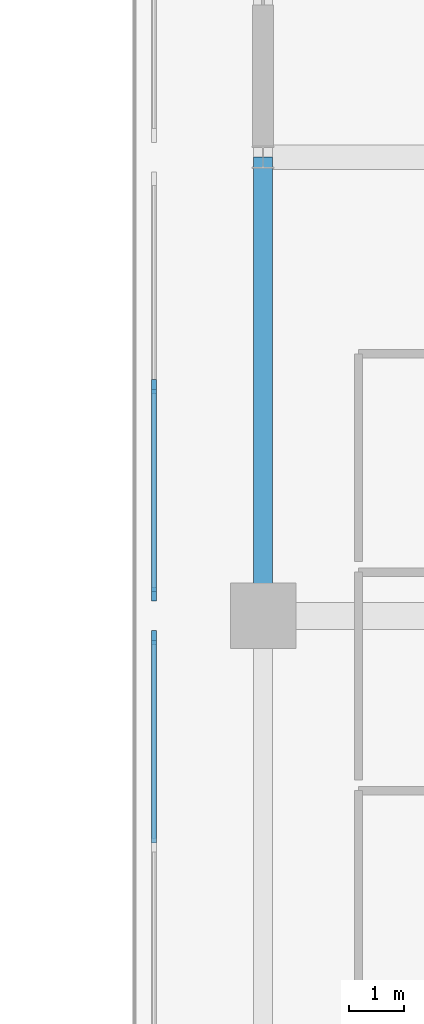
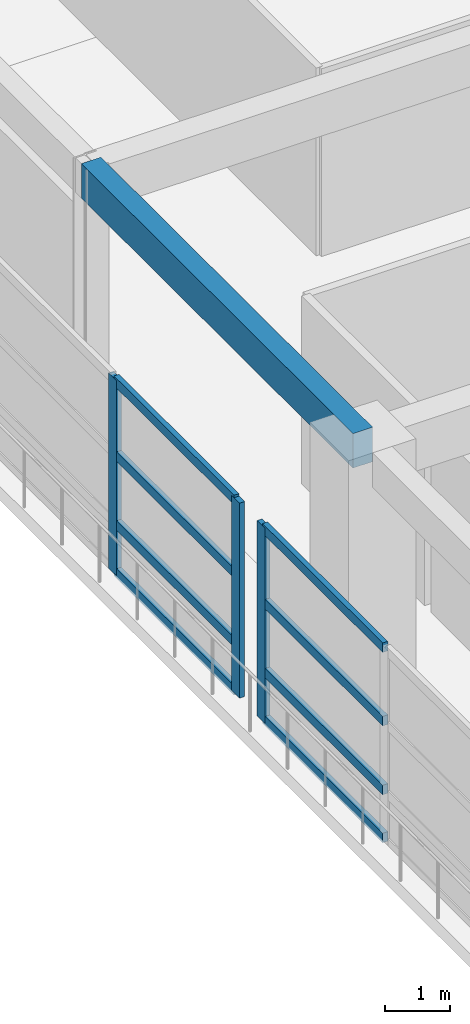
# One storey, part 18 of 60: 11 members, 1 beam, 2 elements without a shape of their own.
"""IFC4 building model written with IfcOpenShell, lengths in metres."""

from ifc_helpers import new_model, si_unit, direction, frame, origin, origin_2d, place, context, subcontext, project, spatial, rectangle, extrude, material, material_profile, profile_set, type_object, element, aggregate, save


model = new_model("IFC4")

# Units and contexts
model_context = context("Model", 3, precision=1e-05, world=origin(), true_north=direction((0.0, 1.0)))
body_context = subcontext(model_context, "Body", "Model", "MODEL_VIEW")
ifc_project = project(units=[si_unit("LENGTHUNIT", "METRE"), si_unit("AREAUNIT", "SQUARE_METRE"), si_unit("VOLUMEUNIT", "CUBIC_METRE"), si_unit("PLANEANGLEUNIT", "RADIAN"), si_unit("MASSUNIT", "GRAM", prefix="KILO")], contexts=[model_context])

# Site, building, storey
site_placement = place(None, origin())
site = spatial("IfcSite", under=ifc_project, at=site_placement, CompositionType="ELEMENT")
building_placement = place(site_placement, origin())
building = spatial("IfcBuilding", under=site, at=building_placement, Name="Xuanlan Plaza Opera House", CompositionType="ELEMENT")
storey_placement = place(building_placement, frame((0.0, 0.0, 9.89990234375)))
storey = spatial("IfcBuildingStorey", under=building, at=storey_placement, Name="L02", CompositionType="ELEMENT", Elevation=9.89990234375)

# Curtain wall, member
ifc_material_1 = material(Name="Anodised Aluminium 6063-T6 and Low-E Glass", Category="aluminium")
curtain_wall_type = type_object("IfcCurtainWallType", Name="ENV-CW-CW-06", PredefinedType="USERDEFINED", material=ifc_material_1)
curtain_wall_1_placement = place(storey_placement, origin())
curtain_wall_1 = element("IfcCurtainWall", 1, at=curtain_wall_1_placement, inside=storey, type_object=curtain_wall_type, Name="Acoustic Glazed Wall ATR-L02-22", ObjectType="ACOUSTIC GLAZED WALL", PredefinedType="USERDEFINED")
ifc_material_2 = material(Name="Anodised Aluminium 6063-T6", Category="aluminium")
ifc_material_profile_1 = material_profile(ifc_material_2, rectangle(XDim=0.090087890625, YDim=0.25, at=origin_2d()), Name="ALU-M 90x250")
ifc_profile_set_1 = profile_set([ifc_material_profile_1], Name="Anodised Aluminium 6063-T6")
member_type_1 = type_object("IfcMemberType", Name="ENV-CWM-05", PredefinedType="MULLION", material=ifc_profile_set_1)
member_1_placement = place(storey_placement, frame((124.0, 58.405029296875, 0.0), z_axis=(0.0, 0.0, 1.0), x_axis=(-1.0, 0.0, 0.0)))
member_1 = element("IfcMember", 2, at=member_1_placement, type_object=member_type_1, Name="CW-06 mullion 3", PredefinedType="MULLION", context=body_context, shape_type="SweptSolid", body=[
    extrude(rectangle(XDim=0.090087890625, YDim=0.25, at=origin_2d()), origin(), (0.0, 0.0, 1.0), 3.68017578125),
])

# Curtain wall, members
curtain_wall_2_placement = place(storey_placement, origin())
curtain_wall_2 = element("IfcCurtainWall", 3, at=curtain_wall_2_placement, inside=storey, type_object=curtain_wall_type, Name="Acoustic Glazed Wall ATR-L02-23", ObjectType="ACOUSTIC GLAZED WALL", PredefinedType="USERDEFINED")
member_2_placement = place(storey_placement, frame((124.0, 59.195068359375, 0.0), z_axis=(0.0, 0.0, 1.0), x_axis=(-1.0, 0.0, 0.0)))
member_2 = element("IfcMember", 4, at=member_2_placement, type_object=member_type_1, Name="CW-06 mullion 1", PredefinedType="MULLION", context=body_context, shape_type="SweptSolid", body=[
    extrude(rectangle(XDim=0.090087890625, YDim=0.25, at=origin_2d()), origin(), (0.0, 0.0, 1.0), 3.68017578125),
])
member_3_placement = place(storey_placement, frame((124.0, 63.0, 0.0), z_axis=(0.0, 0.0, 1.0), x_axis=(-1.0, 0.0, 0.0)))
member_3 = element("IfcMember", 5, at=member_3_placement, type_object=member_type_1, Name="CW-06 mullion 2", PredefinedType="MULLION", context=body_context, shape_type="SweptSolid", body=[
    extrude(rectangle(XDim=0.090087890625, YDim=0.25, at=origin_2d()), origin(), (0.0, 0.0, 1.0), 3.68017578125),
])

# Member
ifc_material_profile_2 = material_profile(ifc_material_2, rectangle(XDim=0.090087890625, YDim=0.179931640625, at=origin_2d()), Name="ALU-T 90x180")
ifc_profile_set_2 = profile_set([ifc_material_profile_2], Name="Anodised Aluminium 6063-T6")
member_type_2 = type_object("IfcMemberType", Name="ENV-CWT-05", PredefinedType="USERDEFINED", material=ifc_profile_set_2)
member_4_placement = place(storey_placement, frame((124.0, 54.64501953125, 0.045166015625), z_axis=(0.0, 1.0, 0.0), x_axis=(-1.0, 0.0, 0.0)))
member_4 = element("IfcMember", 6, at=member_4_placement, type_object=member_type_2, Name="CW-06 transom 2.1", ObjectType="TRANSOM", PredefinedType="USERDEFINED", context=body_context, shape_type="SweptSolid", body=[
    extrude(rectangle(XDim=0.090087890625, YDim=0.179931640625, at=origin_2d()), origin(), (0.0, 0.0, 1.0), 3.715087890625),
])

member_5_placement = place(storey_placement, frame((124.0, 54.64501953125, 0.9501953125), z_axis=(0.0, 1.0, 0.0), x_axis=(-1.0, 0.0, 0.0)))
member_5 = element("IfcMember", 7, at=member_5_placement, type_object=member_type_2, Name="CW-06 transom 2.2", ObjectType="TRANSOM", PredefinedType="USERDEFINED", context=body_context, shape_type="SweptSolid", body=[
    extrude(rectangle(XDim=0.090087890625, YDim=0.179931640625, at=origin_2d()), origin(), (0.0, 0.0, 1.0), 3.715087890625),
])

member_6_placement = place(storey_placement, frame((124.0, 54.64501953125, 2.25), z_axis=(0.0, 1.0, 0.0), x_axis=(-1.0, 0.0, 0.0)))
member_6 = element("IfcMember", 8, at=member_6_placement, type_object=member_type_2, Name="CW-06 transom 2.3", ObjectType="TRANSOM", PredefinedType="USERDEFINED", context=body_context, shape_type="SweptSolid", body=[
    extrude(rectangle(XDim=0.090087890625, YDim=0.179931640625, at=origin_2d()), origin(), (0.0, 0.0, 1.0), 3.715087890625),
])

member_7_placement = place(storey_placement, frame((124.0, 54.64501953125, 3.635009765625), z_axis=(0.0, 1.0, 0.0), x_axis=(-1.0, 0.0, 0.0)))
member_7 = element("IfcMember", 9, at=member_7_placement, type_object=member_type_2, Name="CW-06 transom 2.4", ObjectType="TRANSOM", PredefinedType="USERDEFINED", context=body_context, shape_type="SweptSolid", body=[
    extrude(rectangle(XDim=0.090087890625, YDim=0.179931640625, at=origin_2d()), origin(), (0.0, 0.0, 1.0), 3.715087890625),
])

aggregate(curtain_wall_1, [member_1, member_4, member_5, member_6, member_7])

member_8_placement = place(storey_placement, frame((124.0, 59.239990234375, 0.045166015625), z_axis=(0.0, 1.0, 0.0), x_axis=(-1.0, 0.0, 0.0)))
member_8 = element("IfcMember", 10, at=member_8_placement, type_object=member_type_2, Name="CW-06 transom 1.1", ObjectType="TRANSOM", PredefinedType="USERDEFINED", context=body_context, shape_type="SweptSolid", body=[
    extrude(rectangle(XDim=0.090087890625, YDim=0.179931640625, at=origin_2d()), origin(), (0.0, 0.0, 1.0), 3.715087890625),
])

member_9_placement = place(storey_placement, frame((124.0, 59.239990234375, 0.9501953125), z_axis=(0.0, 1.0, 0.0), x_axis=(-1.0, 0.0, 0.0)))
member_9 = element("IfcMember", 11, at=member_9_placement, type_object=member_type_2, Name="CW-06 transom 1.2", ObjectType="TRANSOM", PredefinedType="USERDEFINED", context=body_context, shape_type="SweptSolid", body=[
    extrude(rectangle(XDim=0.090087890625, YDim=0.179931640625, at=origin_2d()), origin(), (0.0, 0.0, 1.0), 3.715087890625),
])

member_10_placement = place(storey_placement, frame((124.0, 59.239990234375, 2.25), z_axis=(0.0, 1.0, 0.0), x_axis=(-1.0, 0.0, 0.0)))
member_10 = element("IfcMember", 12, at=member_10_placement, type_object=member_type_2, Name="CW-06 transom 1.3", ObjectType="TRANSOM", PredefinedType="USERDEFINED", context=body_context, shape_type="SweptSolid", body=[
    extrude(rectangle(XDim=0.090087890625, YDim=0.179931640625, at=origin_2d()), origin(), (0.0, 0.0, 1.0), 3.715087890625),
])

member_11_placement = place(storey_placement, frame((124.0, 59.239990234375, 3.635009765625), z_axis=(0.0, 1.0, 0.0), x_axis=(-1.0, 0.0, 0.0)))
member_11 = element("IfcMember", 13, at=member_11_placement, type_object=member_type_2, Name="CW-06 transom 1.4", ObjectType="TRANSOM", PredefinedType="USERDEFINED", context=body_context, shape_type="SweptSolid", body=[
    extrude(rectangle(XDim=0.090087890625, YDim=0.179931640625, at=origin_2d()), origin(), (0.0, 0.0, 1.0), 3.715087890625),
])

aggregate(curtain_wall_2, [member_2, member_3, member_8, member_9, member_10, member_11])

# Beam
ifc_material_3 = material(Name="Concrete C40", Category="concrete")
ifc_material_profile_3 = material_profile(ifc_material_3, rectangle(XDim=0.35009765625, YDim=0.64990234375, at=origin_2d()), Name="RC-BM 350x650")
ifc_profile_set_3 = profile_set([ifc_material_profile_3], Name="Concrete C40")
beam_type = type_object("IfcBeamType", Name="STR-BM-B-08", PredefinedType="BEAM", material=ifc_profile_set_3)
beam_placement = place(storey_placement, frame((126.0, 58.800048828125, 4.175048828125), z_axis=(0.0, 1.0, 0.0), x_axis=(-1.0, 0.0, 0.0)))
element("IfcBeam", 14, at=beam_placement, inside=storey, type_object=beam_type, Name="Grid Beam Y L02 16/H-I", PredefinedType="BEAM", context=body_context, shape_type="SweptSolid", body=[
    extrude(rectangle(XDim=0.35009765625, YDim=0.64990234375, at=origin_2d()), origin(), (0.0, 0.0, 1.0), 8.39990234375),
])

save(model, "model.ifc")
